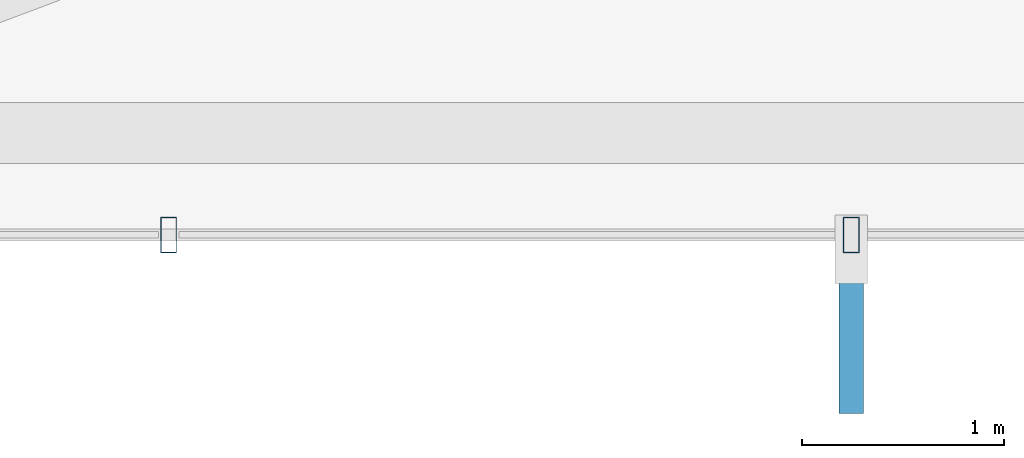
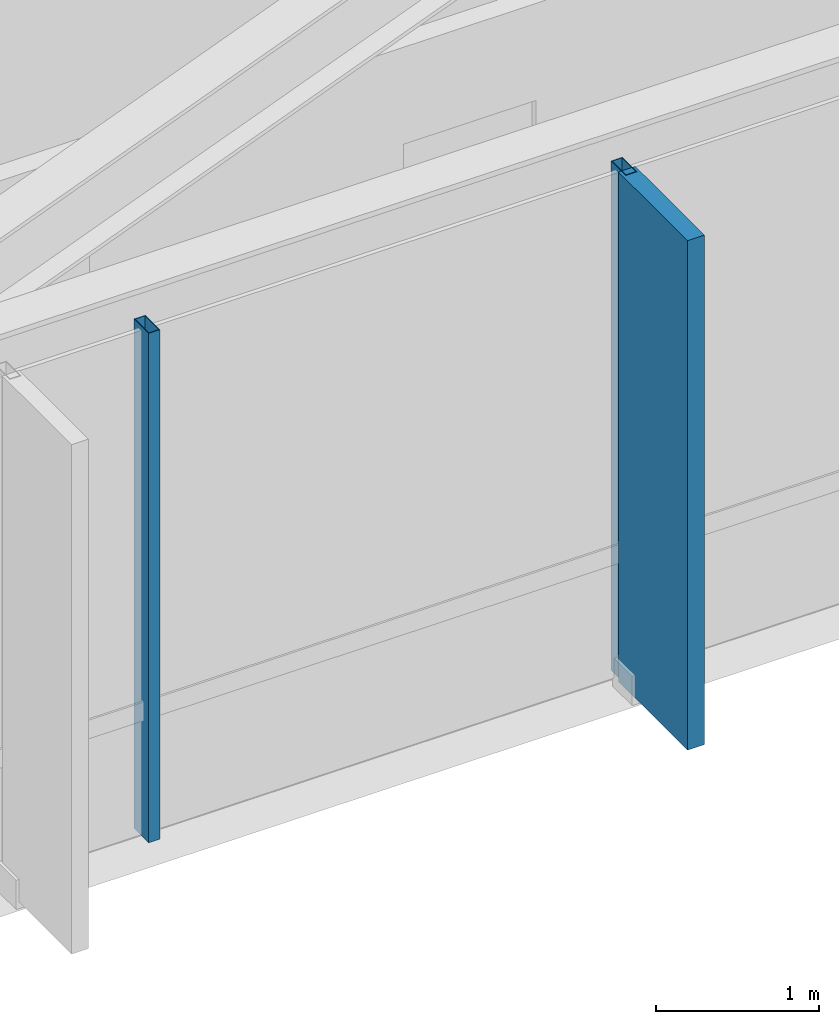
# One storey, part 6 of 27: 3 members, 1 element without a shape of its own.
"""IFC4 building model written with IfcOpenShell, lengths in metres."""

from ifc_helpers import new_model, si_unit, direction, frame, origin, origin_2d, place, context, subcontext, project, spatial, rectangle, hollow_rectangle, extrude, material, layer, layer_set, material_profile, profile_set, type_object, element, aggregate, save


model = new_model("IFC4")

# Units and contexts
model_context = context("Model", 3, precision=1e-05, world=origin(), true_north=direction((0.0, 1.0)))
body_context = subcontext(model_context, "Body", "Model", "MODEL_VIEW")
ifc_project = project(units=[si_unit("LENGTHUNIT", "METRE"), si_unit("AREAUNIT", "SQUARE_METRE"), si_unit("VOLUMEUNIT", "CUBIC_METRE"), si_unit("PLANEANGLEUNIT", "RADIAN"), si_unit("MASSUNIT", "GRAM", prefix="KILO")], contexts=[model_context])

# Site, building, storey
site_placement = place(None, origin())
site = spatial("IfcSite", under=ifc_project, at=site_placement, CompositionType="ELEMENT")
building_placement = place(site_placement, origin())
building = spatial("IfcBuilding", under=site, at=building_placement, Name="Zarrinselat Tower", CompositionType="ELEMENT")
storey_placement = place(building_placement, frame((0.0, 0.0, 80.580078125)))
storey = spatial("IfcBuildingStorey", under=building, at=storey_placement, Name="L19", CompositionType="ELEMENT", Elevation=80.580078125)

# Curtain wall, members
ifc_material_1 = material(Name="Extruded Aluminium Alloy EN AW-6063 T6", Category="aluminium")
ifc_layer = layer(ifc_material_1, 0.18505859375)
ifc_layer_set = layer_set([ifc_layer], Name="Extruded Aluminium Alloy EN AW-6063 T6")
curtain_wall_type = type_object("IfcCurtainWallType", Name="CWS-OFF", PredefinedType="NOTDEFINED", material=ifc_layer_set)
curtain_wall_placement = place(storey_placement, origin())
curtain_wall = element("IfcCurtainWall", 1, at=curtain_wall_placement, inside=storey, type_object=curtain_wall_type, Name="L19 Unitised Curtain Wall CW-L19-E04", PredefinedType="NOTDEFINED")
ifc_material_2 = material(Name="Extruded Aluminium Alloy EN AW-6063 T6", Category="aluminium")
ifc_material_profile_1 = material_profile(ifc_material_2, hollow_rectangle(XDim=0.080078125, YDim=0.179931640625, WallThickness=0.0048828125, at=origin_2d()), Name="RHS 180x80x5")
ifc_profile_set_1 = profile_set([ifc_material_profile_1], Name="Extruded Aluminium Alloy EN AW-6063 T6")
member_type_1 = type_object("IfcMemberType", Name="MEM-CW-MUL", PredefinedType="MULLION", material=ifc_profile_set_1)
member_1_placement = place(storey_placement, frame((31.636474609375, 18.60498046875, 0.0), z_axis=(0.0, 0.0, 1.0), x_axis=(1.0, 0.0, 0.0)))
member_1 = element("IfcMember", 2, at=member_1_placement, type_object=member_type_1, Name="CW-L19-E04 Mullion 2", PredefinedType="MULLION", context=body_context, shape_type="SweptSolid", body=[
    extrude(hollow_rectangle(XDim=0.080078125, YDim=0.179931640625, WallThickness=0.0048828125, at=origin_2d()), origin(), (0.0, 0.0, 1.0), 3.81982421875),
])
member_2_placement = place(storey_placement, frame((35.018310546875, 18.60498046875, 0.0), z_axis=(0.0, 0.0, 1.0), x_axis=(1.0, 0.0, 0.0)))
member_2 = element("IfcMember", 3, at=member_2_placement, type_object=member_type_1, Name="CW-L19-E04 Mullion 3", PredefinedType="MULLION", context=body_context, shape_type="SweptSolid", body=[
    extrude(hollow_rectangle(XDim=0.080078125, YDim=0.179931640625, WallThickness=0.0048828125, at=origin_2d()), origin(), (0.0, 0.0, 1.0), 3.81982421875),
])
ifc_material_3 = material(Name="Honed Cream Travertine Stone", Category="masonry")
ifc_material_profile_2 = material_profile(ifc_material_3, rectangle(XDim=0.1201171875, YDim=0.85009765625, at=origin_2d()), Name="FIN 850x120")
ifc_profile_set_2 = profile_set([ifc_material_profile_2], Name="Honed Cream Travertine Stone")
member_type_2 = type_object("IfcMemberType", Name="MEM-STONE-FIN", PredefinedType="USERDEFINED", material=ifc_profile_set_2)
member_3_placement = place(storey_placement, frame((35.018310546875, 18.14501953125, 0.0), z_axis=(0.0, 0.0, 1.0), x_axis=(-1.0, 0.0, 0.0)))
member_3 = element("IfcMember", 4, at=member_3_placement, type_object=member_type_2, Name="L19 Stone Shading Fin CW-L19-E04-03", ObjectType="FIN", PredefinedType="USERDEFINED", context=body_context, shape_type="SweptSolid", body=[
    extrude(rectangle(XDim=0.1201171875, YDim=0.85009765625, at=origin_2d()), origin(), (0.0, 0.0, 1.0), 3.81982421875),
])
aggregate(curtain_wall, [member_1, member_2, member_3])

save(model, "model.ifc")
